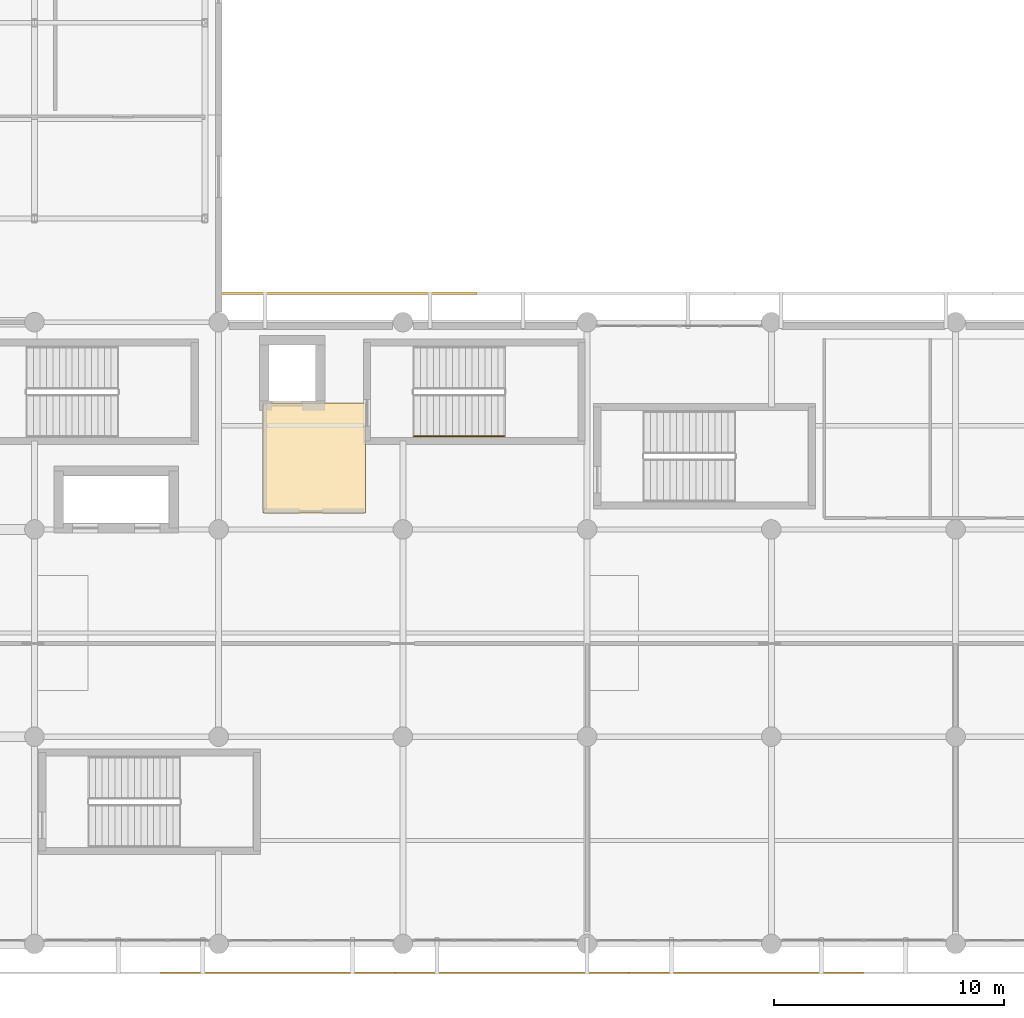
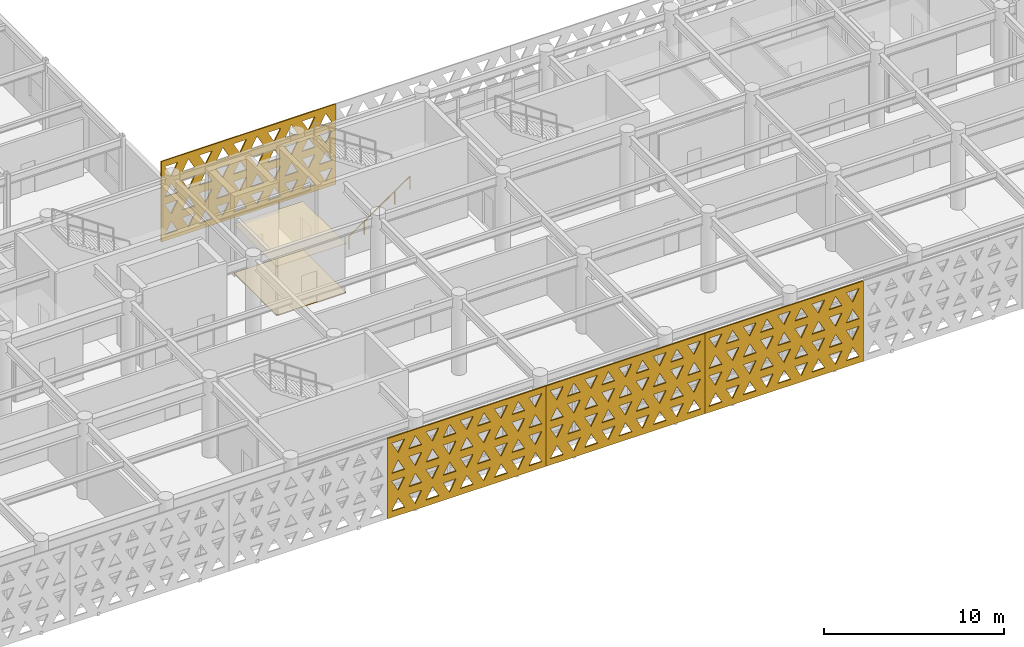
# One storey, part 74 of 84: 6 coverings, 1 railing.
"""IFC4 building model written with IfcOpenShell, lengths in metres."""

from ifc_helpers import new_model, si_unit, direction, frame, origin, origin_2d, place, context, subcontext, project, spatial, polyline, circle, outline, extrude, material, layer, layer_set, type_object, element, save


model = new_model("IFC4")

# Units and contexts
model_context = context("Model", 3, precision=1e-05, world=origin(), true_north=direction((0.0, 1.0)))
body_context = subcontext(model_context, "Body", "Model", "MODEL_VIEW")
ifc_project = project(units=[si_unit("LENGTHUNIT", "METRE"), si_unit("AREAUNIT", "SQUARE_METRE"), si_unit("VOLUMEUNIT", "CUBIC_METRE"), si_unit("PLANEANGLEUNIT", "RADIAN"), si_unit("MASSUNIT", "GRAM", prefix="KILO")], contexts=[model_context])

# Site, building, storey
site_placement = place(None, origin())
site = spatial("IfcSite", under=ifc_project, at=site_placement, CompositionType="ELEMENT")
building_placement = place(site_placement, origin())
building = spatial("IfcBuilding", under=site, at=building_placement, Name="Tlacozan Convention Centre", CompositionType="ELEMENT")
storey_placement = place(building_placement, frame((0.0, 0.0, 6.0)))
storey = spatial("IfcBuildingStorey", under=building, at=storey_placement, Name="L01", CompositionType="ELEMENT", Elevation=6.0)

# Coverings
ifc_material_1 = material(Name="Perforated Acoustic Mineral Fibre Ceiling")
ifc_layer_1 = layer(ifc_material_1, 0.02490234375)
ifc_layer_set_1 = layer_set([ifc_layer_1], Name="Perforated Acoustic Mineral Fibre Ceiling")
covering_type_1 = type_object("IfcCoveringType", Name="Acoustic Mineral Fibre Ceiling 25", PredefinedType="CEILING", material=ifc_layer_set_1)
covering_1_placement = place(storey_placement, frame((0.0, 0.0, 3.300048828125)))
element("IfcCovering", 1, at=covering_1_placement, inside=storey, type_object=covering_type_1, Name="L01 Acoustic Ceiling L01-FFL-3", PredefinedType="CEILING", context=body_context, shape_type="SweptSolid", body=[
    extrude(outline(polyline([(33.919921875, 18.719970703125), (38.3798828125, 18.719970703125), (38.3798828125, 23.47998046875), (33.919921875, 23.47998046875), (33.919921875, 18.719970703125)])), origin(), (0.0, 0.0, 1.0), 0.02490234375),
])
ifc_material_2 = material(Name="Polished Basalt Terrazzo Flooring", Category="masonry")
ifc_layer_2 = layer(ifc_material_2, 0.02001953125)
ifc_layer_set_2 = layer_set([ifc_layer_2], Name="Polished Basalt Terrazzo Flooring")
covering_type_2 = type_object("IfcCoveringType", Name="Polished Basalt Terrazzo Flooring 20", PredefinedType="FLOORING", material=ifc_layer_set_2)
covering_2_placement = place(storey_placement, origin())
element("IfcCovering", 2, at=covering_2_placement, inside=storey, type_object=covering_type_2, Name="L01 Terrazzo Flooring L01-FFL-3", PredefinedType="FLOORING", context=body_context, shape_type="SweptSolid", body=[
    extrude(outline(polyline([(33.919921875, 18.719970703125), (38.3798828125, 18.719970703125), (38.3798828125, 23.47998046875), (33.919921875, 23.47998046875), (33.919921875, 18.719970703125)])), origin(), (0.0, 0.0, 1.0), 0.02001953125),
])

# Railing
ifc_material_3 = material(Name="Architectural Painted Galvanised Steel Railing", Category="steel")
railing_type = type_object("IfcRailingType", Name="Stair Wall Handrail 900", PredefinedType="HANDRAIL", material=ifc_material_3)
railing_placement = place(storey_placement, frame((40.47998046875, 22.050048828125, 0.179931640625)))
element("IfcRailing", 3, at=railing_placement, inside=storey, type_object=railing_type, Name="L01 ST-04 stair handrail 1", PredefinedType="HANDRAIL", context=body_context, shape_type="SweptSolid", body=[
    extrude(circle(Radius=0.02392578125, at=origin_2d()), frame((0.0, 0.0, 0.8759765625), z_axis=(0.823550731654, 0.0, 0.567242622158), x_axis=(0.0, 1.0, 0.0)), (0.0, 0.0, 1.0), 4.759765625),
    extrude(circle(Radius=0.02099609375, at=origin_2d()), origin(), (0.0, 0.0, 1.0), 0.851806640625),
    extrude(circle(Radius=0.02099609375, at=origin_2d()), frame((0.97998046875, 0.0, 0.675048828125)), (0.0, 0.0, 1.0), 0.851806640625),
    extrude(circle(Radius=0.02099609375, at=origin_2d()), frame((1.9599609375, 0.0, 1.35009765625)), (0.0, 0.0, 1.0), 0.851806640625),
    extrude(circle(Radius=0.02099609375, at=origin_2d()), frame((2.93994140625, 0.0, 2.02490234375)), (0.0, 0.0, 1.0), 0.851806640625),
    extrude(circle(Radius=0.02099609375, at=origin_2d()), frame((3.919921875, 0.0, 2.699951171875)), (0.0, 0.0, 1.0), 0.851806640625),
])

# Coverings
ifc_material_4 = material(Name="Toluca Fired Terracotta Masonry Solar Screen", Category="masonry")
ifc_layer_3 = layer(ifc_material_4, 0.080078125)
ifc_layer_set_3 = layer_set([ifc_layer_3], Name="Toluca Fired Terracotta Masonry Solar Screen")
covering_type_3 = type_object("IfcCoveringType", Name="Terracotta Triangle Solar Screen 80", PredefinedType="USERDEFINED", material=ifc_layer_set_3)
covering_3_placement = place(storey_placement, frame((29.47705078125, -1.25, -0.10009765625), z_axis=(0.0, 0.0, 1.0), x_axis=(1.0, 0.0, 0.0)))
element("IfcCovering", 4, at=covering_3_placement, inside=storey, type_object=covering_type_3, Name="L01 Terracotta Triangle Screen 4", ObjectType="SCREEN", PredefinedType="USERDEFINED", context=body_context, shape_type="SweptSolid", body=[
    extrude(outline(polyline([(0.0, 0.0), (10.1708984375, 0.0), (10.1708984375, 5.4501953125), (0.0, 5.4501953125), (0.0, 0.0)]), holes=[polyline([(0.271484375, 0.41796875), (1.099365234375, 0.41796875), (0.685546875, 1.1845703125), (0.271484375, 0.41796875)]), polyline([(1.371337890625, 1.1845703125), (2.199462890625, 1.1845703125), (1.785400390625, 0.41796875), (1.371337890625, 1.1845703125)]), polyline([(2.471435546875, 0.41796875), (3.299560546875, 0.41796875), (2.885498046875, 1.1845703125), (2.471435546875, 0.41796875)]), polyline([(3.571533203125, 1.1845703125), (4.3994140625, 1.1845703125), (3.9853515625, 0.41796875), (3.571533203125, 1.1845703125)]), polyline([(4.67138671875, 0.41796875), (5.49951171875, 0.41796875), (5.08544921875, 1.1845703125), (4.67138671875, 0.41796875)]), polyline([(5.771484375, 1.1845703125), (6.599365234375, 1.1845703125), (6.185546875, 0.41796875), (5.771484375, 1.1845703125)]), polyline([(6.871337890625, 0.41796875), (7.699462890625, 0.41796875), (7.285400390625, 1.1845703125), (6.871337890625, 0.41796875)]), polyline([(7.971435546875, 1.1845703125), (8.799560546875, 1.1845703125), (8.385498046875, 0.41796875), (7.971435546875, 1.1845703125)]), polyline([(9.071533203125, 0.41796875), (9.8994140625, 0.41796875), (9.4853515625, 1.1845703125), (9.071533203125, 0.41796875)]), polyline([(0.271484375, 2.46728515625), (1.099365234375, 2.46728515625), (0.685546875, 1.700439453125), (0.271484375, 2.46728515625)]), polyline([(1.371337890625, 1.700439453125), (2.199462890625, 1.700439453125), (1.785400390625, 2.46728515625), (1.371337890625, 1.700439453125)]), polyline([(2.471435546875, 2.46728515625), (3.299560546875, 2.46728515625), (2.885498046875, 1.700439453125), (2.471435546875, 2.46728515625)]), polyline([(3.571533203125, 1.700439453125), (4.3994140625, 1.700439453125), (3.9853515625, 2.46728515625), (3.571533203125, 1.700439453125)]), polyline([(4.67138671875, 2.46728515625), (5.49951171875, 2.46728515625), (5.08544921875, 1.700439453125), (4.67138671875, 2.46728515625)]), polyline([(5.771484375, 1.700439453125), (6.599365234375, 1.700439453125), (6.185546875, 2.46728515625), (5.771484375, 1.700439453125)]), polyline([(6.871337890625, 2.46728515625), (7.699462890625, 2.46728515625), (7.285400390625, 1.700439453125), (6.871337890625, 2.46728515625)]), polyline([(7.971435546875, 1.700439453125), (8.799560546875, 1.700439453125), (8.385498046875, 2.46728515625), (7.971435546875, 1.700439453125)]), polyline([(9.071533203125, 2.46728515625), (9.8994140625, 2.46728515625), (9.4853515625, 1.700439453125), (9.071533203125, 2.46728515625)]), polyline([(0.271484375, 2.98291015625), (1.099365234375, 2.98291015625), (0.685546875, 3.749755859375), (0.271484375, 2.98291015625)]), polyline([(1.371337890625, 3.749755859375), (2.199462890625, 3.749755859375), (1.785400390625, 2.98291015625), (1.371337890625, 3.749755859375)]), polyline([(2.471435546875, 2.98291015625), (3.299560546875, 2.98291015625), (2.885498046875, 3.749755859375), (2.471435546875, 2.98291015625)]), polyline([(3.571533203125, 3.749755859375), (4.3994140625, 3.749755859375), (3.9853515625, 2.98291015625), (3.571533203125, 3.749755859375)]), polyline([(4.67138671875, 2.98291015625), (5.49951171875, 2.98291015625), (5.08544921875, 3.749755859375), (4.67138671875, 2.98291015625)]), polyline([(5.771484375, 3.749755859375), (6.599365234375, 3.749755859375), (6.185546875, 2.98291015625), (5.771484375, 3.749755859375)]), polyline([(6.871337890625, 2.98291015625), (7.699462890625, 2.98291015625), (7.285400390625, 3.749755859375), (6.871337890625, 2.98291015625)]), polyline([(7.971435546875, 3.749755859375), (8.799560546875, 3.749755859375), (8.385498046875, 2.98291015625), (7.971435546875, 3.749755859375)]), polyline([(9.071533203125, 2.98291015625), (9.8994140625, 2.98291015625), (9.4853515625, 3.749755859375), (9.071533203125, 2.98291015625)]), polyline([(0.271484375, 5.0322265625), (1.099365234375, 5.0322265625), (0.685546875, 4.265625), (0.271484375, 5.0322265625)]), polyline([(1.371337890625, 4.265625), (2.199462890625, 4.265625), (1.785400390625, 5.0322265625), (1.371337890625, 4.265625)]), polyline([(2.471435546875, 5.0322265625), (3.299560546875, 5.0322265625), (2.885498046875, 4.265625), (2.471435546875, 5.0322265625)]), polyline([(3.571533203125, 4.265625), (4.3994140625, 4.265625), (3.9853515625, 5.0322265625), (3.571533203125, 4.265625)]), polyline([(4.67138671875, 5.0322265625), (5.49951171875, 5.0322265625), (5.08544921875, 4.265625), (4.67138671875, 5.0322265625)]), polyline([(5.771484375, 4.265625), (6.599365234375, 4.265625), (6.185546875, 5.0322265625), (5.771484375, 4.265625)]), polyline([(6.871337890625, 5.0322265625), (7.699462890625, 5.0322265625), (7.285400390625, 4.265625), (6.871337890625, 5.0322265625)]), polyline([(7.971435546875, 4.265625), (8.799560546875, 4.265625), (8.385498046875, 5.0322265625), (7.971435546875, 4.265625)]), polyline([(9.071533203125, 5.0322265625), (9.8994140625, 5.0322265625), (9.4853515625, 4.265625), (9.071533203125, 5.0322265625)])]), frame((0.0, 0.0400390625, 0.0), z_axis=(0.0, -1.0, 0.0), x_axis=(1.0, 0.0, 0.0)), (0.0, 0.0, 1.0), 0.080078125),
])
covering_4_placement = place(storey_placement, frame((39.652099609375, -1.25, -0.10009765625), z_axis=(0.0, 0.0, 1.0), x_axis=(1.0, 0.0, 0.0)))
element("IfcCovering", 5, at=covering_4_placement, inside=storey, type_object=covering_type_3, Name="L01 Terracotta Triangle Screen 5", ObjectType="SCREEN", PredefinedType="USERDEFINED", context=body_context, shape_type="SweptSolid", body=[
    extrude(outline(polyline([(0.0, 0.0), (10.1708984375, 0.0), (10.1708984375, 5.4501953125), (0.0, 5.4501953125), (0.0, 0.0)]), holes=[polyline([(0.271484375, 0.41796875), (1.099365234375, 0.41796875), (0.685546875, 1.1845703125), (0.271484375, 0.41796875)]), polyline([(1.371337890625, 1.1845703125), (2.199462890625, 1.1845703125), (1.785400390625, 0.41796875), (1.371337890625, 1.1845703125)]), polyline([(2.471435546875, 0.41796875), (3.299560546875, 0.41796875), (2.885498046875, 1.1845703125), (2.471435546875, 0.41796875)]), polyline([(3.571533203125, 1.1845703125), (4.3994140625, 1.1845703125), (3.9853515625, 0.41796875), (3.571533203125, 1.1845703125)]), polyline([(4.67138671875, 0.41796875), (5.49951171875, 0.41796875), (5.08544921875, 1.1845703125), (4.67138671875, 0.41796875)]), polyline([(5.771484375, 1.1845703125), (6.599365234375, 1.1845703125), (6.185546875, 0.41796875), (5.771484375, 1.1845703125)]), polyline([(6.871337890625, 0.41796875), (7.699462890625, 0.41796875), (7.285400390625, 1.1845703125), (6.871337890625, 0.41796875)]), polyline([(7.971435546875, 1.1845703125), (8.799560546875, 1.1845703125), (8.385498046875, 0.41796875), (7.971435546875, 1.1845703125)]), polyline([(9.071533203125, 0.41796875), (9.8994140625, 0.41796875), (9.4853515625, 1.1845703125), (9.071533203125, 0.41796875)]), polyline([(0.271484375, 2.46728515625), (1.099365234375, 2.46728515625), (0.685546875, 1.700439453125), (0.271484375, 2.46728515625)]), polyline([(1.371337890625, 1.700439453125), (2.199462890625, 1.700439453125), (1.785400390625, 2.46728515625), (1.371337890625, 1.700439453125)]), polyline([(2.471435546875, 2.46728515625), (3.299560546875, 2.46728515625), (2.885498046875, 1.700439453125), (2.471435546875, 2.46728515625)]), polyline([(3.571533203125, 1.700439453125), (4.3994140625, 1.700439453125), (3.9853515625, 2.46728515625), (3.571533203125, 1.700439453125)]), polyline([(4.67138671875, 2.46728515625), (5.49951171875, 2.46728515625), (5.08544921875, 1.700439453125), (4.67138671875, 2.46728515625)]), polyline([(5.771484375, 1.700439453125), (6.599365234375, 1.700439453125), (6.185546875, 2.46728515625), (5.771484375, 1.700439453125)]), polyline([(6.871337890625, 2.46728515625), (7.699462890625, 2.46728515625), (7.285400390625, 1.700439453125), (6.871337890625, 2.46728515625)]), polyline([(7.971435546875, 1.700439453125), (8.799560546875, 1.700439453125), (8.385498046875, 2.46728515625), (7.971435546875, 1.700439453125)]), polyline([(9.071533203125, 2.46728515625), (9.8994140625, 2.46728515625), (9.4853515625, 1.700439453125), (9.071533203125, 2.46728515625)]), polyline([(0.271484375, 2.98291015625), (1.099365234375, 2.98291015625), (0.685546875, 3.749755859375), (0.271484375, 2.98291015625)]), polyline([(1.371337890625, 3.749755859375), (2.199462890625, 3.749755859375), (1.785400390625, 2.98291015625), (1.371337890625, 3.749755859375)]), polyline([(2.471435546875, 2.98291015625), (3.299560546875, 2.98291015625), (2.885498046875, 3.749755859375), (2.471435546875, 2.98291015625)]), polyline([(3.571533203125, 3.749755859375), (4.3994140625, 3.749755859375), (3.9853515625, 2.98291015625), (3.571533203125, 3.749755859375)]), polyline([(4.67138671875, 2.98291015625), (5.49951171875, 2.98291015625), (5.08544921875, 3.749755859375), (4.67138671875, 2.98291015625)]), polyline([(5.771484375, 3.749755859375), (6.599365234375, 3.749755859375), (6.185546875, 2.98291015625), (5.771484375, 3.749755859375)]), polyline([(6.871337890625, 2.98291015625), (7.699462890625, 2.98291015625), (7.285400390625, 3.749755859375), (6.871337890625, 2.98291015625)]), polyline([(7.971435546875, 3.749755859375), (8.799560546875, 3.749755859375), (8.385498046875, 2.98291015625), (7.971435546875, 3.749755859375)]), polyline([(9.071533203125, 2.98291015625), (9.8994140625, 2.98291015625), (9.4853515625, 3.749755859375), (9.071533203125, 2.98291015625)]), polyline([(0.271484375, 5.0322265625), (1.099365234375, 5.0322265625), (0.685546875, 4.265625), (0.271484375, 5.0322265625)]), polyline([(1.371337890625, 4.265625), (2.199462890625, 4.265625), (1.785400390625, 5.0322265625), (1.371337890625, 4.265625)]), polyline([(2.471435546875, 5.0322265625), (3.299560546875, 5.0322265625), (2.885498046875, 4.265625), (2.471435546875, 5.0322265625)]), polyline([(3.571533203125, 4.265625), (4.3994140625, 4.265625), (3.9853515625, 5.0322265625), (3.571533203125, 4.265625)]), polyline([(4.67138671875, 5.0322265625), (5.49951171875, 5.0322265625), (5.08544921875, 4.265625), (4.67138671875, 5.0322265625)]), polyline([(5.771484375, 4.265625), (6.599365234375, 4.265625), (6.185546875, 5.0322265625), (5.771484375, 4.265625)]), polyline([(6.871337890625, 5.0322265625), (7.699462890625, 5.0322265625), (7.285400390625, 4.265625), (6.871337890625, 5.0322265625)]), polyline([(7.971435546875, 4.265625), (8.799560546875, 4.265625), (8.385498046875, 5.0322265625), (7.971435546875, 4.265625)]), polyline([(9.071533203125, 5.0322265625), (9.8994140625, 5.0322265625), (9.4853515625, 4.265625), (9.071533203125, 5.0322265625)])]), frame((0.0, 0.0400390625, 0.0), z_axis=(0.0, -1.0, 0.0), x_axis=(1.0, 0.0, 0.0)), (0.0, 0.0, 1.0), 0.080078125),
])
covering_5_placement = place(storey_placement, frame((49.826904296875, -1.25, -0.10009765625), z_axis=(0.0, 0.0, 1.0), x_axis=(1.0, 0.0, 0.0)))
element("IfcCovering", 6, at=covering_5_placement, inside=storey, type_object=covering_type_3, Name="L01 Terracotta Triangle Screen 6", ObjectType="SCREEN", PredefinedType="USERDEFINED", context=body_context, shape_type="SweptSolid", body=[
    extrude(outline(polyline([(0.0, 0.0), (10.171142578125, 0.0), (10.171142578125, 5.4501953125), (0.0, 5.4501953125), (0.0, 0.0)]), holes=[polyline([(0.271484375, 0.41796875), (1.099609375, 0.41796875), (0.685546875, 1.1845703125), (0.271484375, 0.41796875)]), polyline([(1.37158203125, 1.1845703125), (2.19970703125, 1.1845703125), (1.78564453125, 0.41796875), (1.37158203125, 1.1845703125)]), polyline([(2.471435546875, 0.41796875), (3.299560546875, 0.41796875), (2.885498046875, 1.1845703125), (2.471435546875, 0.41796875)]), polyline([(3.571533203125, 1.1845703125), (4.399658203125, 1.1845703125), (3.985595703125, 0.41796875), (3.571533203125, 1.1845703125)]), polyline([(4.671630859375, 0.41796875), (5.49951171875, 0.41796875), (5.08544921875, 1.1845703125), (4.671630859375, 0.41796875)]), polyline([(5.771484375, 1.1845703125), (6.599609375, 1.1845703125), (6.185546875, 0.41796875), (5.771484375, 1.1845703125)]), polyline([(6.87158203125, 0.41796875), (7.69970703125, 0.41796875), (7.28564453125, 1.1845703125), (6.87158203125, 0.41796875)]), polyline([(7.971435546875, 1.1845703125), (8.799560546875, 1.1845703125), (8.385498046875, 0.41796875), (7.971435546875, 1.1845703125)]), polyline([(9.071533203125, 0.41796875), (9.899658203125, 0.41796875), (9.485595703125, 1.1845703125), (9.071533203125, 0.41796875)]), polyline([(0.271484375, 2.46728515625), (1.099609375, 2.46728515625), (0.685546875, 1.700439453125), (0.271484375, 2.46728515625)]), polyline([(1.37158203125, 1.700439453125), (2.19970703125, 1.700439453125), (1.78564453125, 2.46728515625), (1.37158203125, 1.700439453125)]), polyline([(2.471435546875, 2.46728515625), (3.299560546875, 2.46728515625), (2.885498046875, 1.700439453125), (2.471435546875, 2.46728515625)]), polyline([(3.571533203125, 1.700439453125), (4.399658203125, 1.700439453125), (3.985595703125, 2.46728515625), (3.571533203125, 1.700439453125)]), polyline([(4.671630859375, 2.46728515625), (5.49951171875, 2.46728515625), (5.08544921875, 1.700439453125), (4.671630859375, 2.46728515625)]), polyline([(5.771484375, 1.700439453125), (6.599609375, 1.700439453125), (6.185546875, 2.46728515625), (5.771484375, 1.700439453125)]), polyline([(6.87158203125, 2.46728515625), (7.69970703125, 2.46728515625), (7.28564453125, 1.700439453125), (6.87158203125, 2.46728515625)]), polyline([(7.971435546875, 1.700439453125), (8.799560546875, 1.700439453125), (8.385498046875, 2.46728515625), (7.971435546875, 1.700439453125)]), polyline([(9.071533203125, 2.46728515625), (9.899658203125, 2.46728515625), (9.485595703125, 1.700439453125), (9.071533203125, 2.46728515625)]), polyline([(0.271484375, 2.98291015625), (1.099609375, 2.98291015625), (0.685546875, 3.749755859375), (0.271484375, 2.98291015625)]), polyline([(1.37158203125, 3.749755859375), (2.19970703125, 3.749755859375), (1.78564453125, 2.98291015625), (1.37158203125, 3.749755859375)]), polyline([(2.471435546875, 2.98291015625), (3.299560546875, 2.98291015625), (2.885498046875, 3.749755859375), (2.471435546875, 2.98291015625)]), polyline([(3.571533203125, 3.749755859375), (4.399658203125, 3.749755859375), (3.985595703125, 2.98291015625), (3.571533203125, 3.749755859375)]), polyline([(4.671630859375, 2.98291015625), (5.49951171875, 2.98291015625), (5.08544921875, 3.749755859375), (4.671630859375, 2.98291015625)]), polyline([(5.771484375, 3.749755859375), (6.599609375, 3.749755859375), (6.185546875, 2.98291015625), (5.771484375, 3.749755859375)]), polyline([(6.87158203125, 2.98291015625), (7.69970703125, 2.98291015625), (7.28564453125, 3.749755859375), (6.87158203125, 2.98291015625)]), polyline([(7.971435546875, 3.749755859375), (8.799560546875, 3.749755859375), (8.385498046875, 2.98291015625), (7.971435546875, 3.749755859375)]), polyline([(9.071533203125, 2.98291015625), (9.899658203125, 2.98291015625), (9.485595703125, 3.749755859375), (9.071533203125, 2.98291015625)]), polyline([(0.271484375, 5.0322265625), (1.099609375, 5.0322265625), (0.685546875, 4.265625), (0.271484375, 5.0322265625)]), polyline([(1.37158203125, 4.265625), (2.19970703125, 4.265625), (1.78564453125, 5.0322265625), (1.37158203125, 4.265625)]), polyline([(2.471435546875, 5.0322265625), (3.299560546875, 5.0322265625), (2.885498046875, 4.265625), (2.471435546875, 5.0322265625)]), polyline([(3.571533203125, 4.265625), (4.399658203125, 4.265625), (3.985595703125, 5.0322265625), (3.571533203125, 4.265625)]), polyline([(4.671630859375, 5.0322265625), (5.49951171875, 5.0322265625), (5.08544921875, 4.265625), (4.671630859375, 5.0322265625)]), polyline([(5.771484375, 4.265625), (6.599609375, 4.265625), (6.185546875, 5.0322265625), (5.771484375, 4.265625)]), polyline([(6.87158203125, 5.0322265625), (7.69970703125, 5.0322265625), (7.28564453125, 4.265625), (6.87158203125, 5.0322265625)]), polyline([(7.971435546875, 4.265625), (8.799560546875, 4.265625), (8.385498046875, 5.0322265625), (7.971435546875, 4.265625)]), polyline([(9.071533203125, 5.0322265625), (9.899658203125, 5.0322265625), (9.485595703125, 4.265625), (9.071533203125, 5.0322265625)])]), frame((0.0, 0.0400390625, 0.0), z_axis=(0.0, -1.0, 0.0), x_axis=(1.0, 0.0, 0.0)), (0.0, 0.0, 1.0), 0.080078125),
])
covering_6_placement = place(storey_placement, frame((32.001953125, 28.25, -0.10009765625), z_axis=(0.0, 0.0, 1.0), x_axis=(1.0, 0.0, 0.0)))
element("IfcCovering", 7, at=covering_6_placement, inside=storey, type_object=covering_type_3, Name="L01 Terracotta Triangle Screen 20", ObjectType="SCREEN", PredefinedType="USERDEFINED", context=body_context, shape_type="SweptSolid", body=[
    extrude(outline(polyline([(0.0, 0.0), (11.196044921875, 0.0), (11.196044921875, 5.4501953125), (0.0, 5.4501953125), (0.0, 0.0)]), holes=[polyline([(0.23388671875, 0.41796875), (1.06201171875, 0.41796875), (0.64794921875, 1.1845703125), (0.23388671875, 0.41796875)]), polyline([(1.333984375, 1.1845703125), (2.162109375, 1.1845703125), (1.748046875, 0.41796875), (1.333984375, 1.1845703125)]), polyline([(2.43408203125, 0.41796875), (3.261962890625, 0.41796875), (2.84814453125, 1.1845703125), (2.43408203125, 0.41796875)]), polyline([(3.533935546875, 1.1845703125), (4.362060546875, 1.1845703125), (3.947998046875, 0.41796875), (3.533935546875, 1.1845703125)]), polyline([(4.634033203125, 0.41796875), (5.462158203125, 0.41796875), (5.048095703125, 1.1845703125), (4.634033203125, 0.41796875)]), polyline([(5.73388671875, 1.1845703125), (6.56201171875, 1.1845703125), (6.14794921875, 0.41796875), (5.73388671875, 1.1845703125)]), polyline([(6.833984375, 0.41796875), (7.662109375, 0.41796875), (7.248046875, 1.1845703125), (6.833984375, 0.41796875)]), polyline([(7.93408203125, 1.1845703125), (8.761962890625, 1.1845703125), (8.34814453125, 0.41796875), (7.93408203125, 1.1845703125)]), polyline([(9.033935546875, 0.41796875), (9.862060546875, 0.41796875), (9.447998046875, 1.1845703125), (9.033935546875, 0.41796875)]), polyline([(10.134033203125, 1.1845703125), (10.962158203125, 1.1845703125), (10.548095703125, 0.41796875), (10.134033203125, 1.1845703125)]), polyline([(0.23388671875, 2.46728515625), (1.06201171875, 2.46728515625), (0.64794921875, 1.700439453125), (0.23388671875, 2.46728515625)]), polyline([(1.333984375, 1.700439453125), (2.162109375, 1.700439453125), (1.748046875, 2.46728515625), (1.333984375, 1.700439453125)]), polyline([(2.43408203125, 2.46728515625), (3.261962890625, 2.46728515625), (2.84814453125, 1.700439453125), (2.43408203125, 2.46728515625)]), polyline([(3.533935546875, 1.700439453125), (4.362060546875, 1.700439453125), (3.947998046875, 2.46728515625), (3.533935546875, 1.700439453125)]), polyline([(4.634033203125, 2.46728515625), (5.462158203125, 2.46728515625), (5.048095703125, 1.700439453125), (4.634033203125, 2.46728515625)]), polyline([(5.73388671875, 1.700439453125), (6.56201171875, 1.700439453125), (6.14794921875, 2.46728515625), (5.73388671875, 1.700439453125)]), polyline([(6.833984375, 2.46728515625), (7.662109375, 2.46728515625), (7.248046875, 1.700439453125), (6.833984375, 2.46728515625)]), polyline([(7.93408203125, 1.700439453125), (8.761962890625, 1.700439453125), (8.34814453125, 2.46728515625), (7.93408203125, 1.700439453125)]), polyline([(9.033935546875, 2.46728515625), (9.862060546875, 2.46728515625), (9.447998046875, 1.700439453125), (9.033935546875, 2.46728515625)]), polyline([(10.134033203125, 1.700439453125), (10.962158203125, 1.700439453125), (10.548095703125, 2.46728515625), (10.134033203125, 1.700439453125)]), polyline([(0.23388671875, 2.98291015625), (1.06201171875, 2.98291015625), (0.64794921875, 3.749755859375), (0.23388671875, 2.98291015625)]), polyline([(1.333984375, 3.749755859375), (2.162109375, 3.749755859375), (1.748046875, 2.98291015625), (1.333984375, 3.749755859375)]), polyline([(2.43408203125, 2.98291015625), (3.261962890625, 2.98291015625), (2.84814453125, 3.749755859375), (2.43408203125, 2.98291015625)]), polyline([(3.533935546875, 3.749755859375), (4.362060546875, 3.749755859375), (3.947998046875, 2.98291015625), (3.533935546875, 3.749755859375)]), polyline([(4.634033203125, 2.98291015625), (5.462158203125, 2.98291015625), (5.048095703125, 3.749755859375), (4.634033203125, 2.98291015625)]), polyline([(5.73388671875, 3.749755859375), (6.56201171875, 3.749755859375), (6.14794921875, 2.98291015625), (5.73388671875, 3.749755859375)]), polyline([(6.833984375, 2.98291015625), (7.662109375, 2.98291015625), (7.248046875, 3.749755859375), (6.833984375, 2.98291015625)]), polyline([(7.93408203125, 3.749755859375), (8.761962890625, 3.749755859375), (8.34814453125, 2.98291015625), (7.93408203125, 3.749755859375)]), polyline([(9.033935546875, 2.98291015625), (9.862060546875, 2.98291015625), (9.447998046875, 3.749755859375), (9.033935546875, 2.98291015625)]), polyline([(10.134033203125, 3.749755859375), (10.962158203125, 3.749755859375), (10.548095703125, 2.98291015625), (10.134033203125, 3.749755859375)]), polyline([(0.23388671875, 5.0322265625), (1.06201171875, 5.0322265625), (0.64794921875, 4.265625), (0.23388671875, 5.0322265625)]), polyline([(1.333984375, 4.265625), (2.162109375, 4.265625), (1.748046875, 5.0322265625), (1.333984375, 4.265625)]), polyline([(2.43408203125, 5.0322265625), (3.261962890625, 5.0322265625), (2.84814453125, 4.265625), (2.43408203125, 5.0322265625)]), polyline([(3.533935546875, 4.265625), (4.362060546875, 4.265625), (3.947998046875, 5.0322265625), (3.533935546875, 4.265625)]), polyline([(4.634033203125, 5.0322265625), (5.462158203125, 5.0322265625), (5.048095703125, 4.265625), (4.634033203125, 5.0322265625)]), polyline([(5.73388671875, 4.265625), (6.56201171875, 4.265625), (6.14794921875, 5.0322265625), (5.73388671875, 4.265625)]), polyline([(6.833984375, 5.0322265625), (7.662109375, 5.0322265625), (7.248046875, 4.265625), (6.833984375, 5.0322265625)]), polyline([(7.93408203125, 4.265625), (8.761962890625, 4.265625), (8.34814453125, 5.0322265625), (7.93408203125, 4.265625)]), polyline([(9.033935546875, 5.0322265625), (9.862060546875, 5.0322265625), (9.447998046875, 4.265625), (9.033935546875, 5.0322265625)]), polyline([(10.134033203125, 4.265625), (10.962158203125, 4.265625), (10.548095703125, 5.0322265625), (10.134033203125, 4.265625)])]), frame((0.0, 0.0400390625, 0.0), z_axis=(0.0, -1.0, 0.0), x_axis=(1.0, 0.0, 0.0)), (0.0, 0.0, 1.0), 0.080078125),
])

save(model, "model.ifc")
